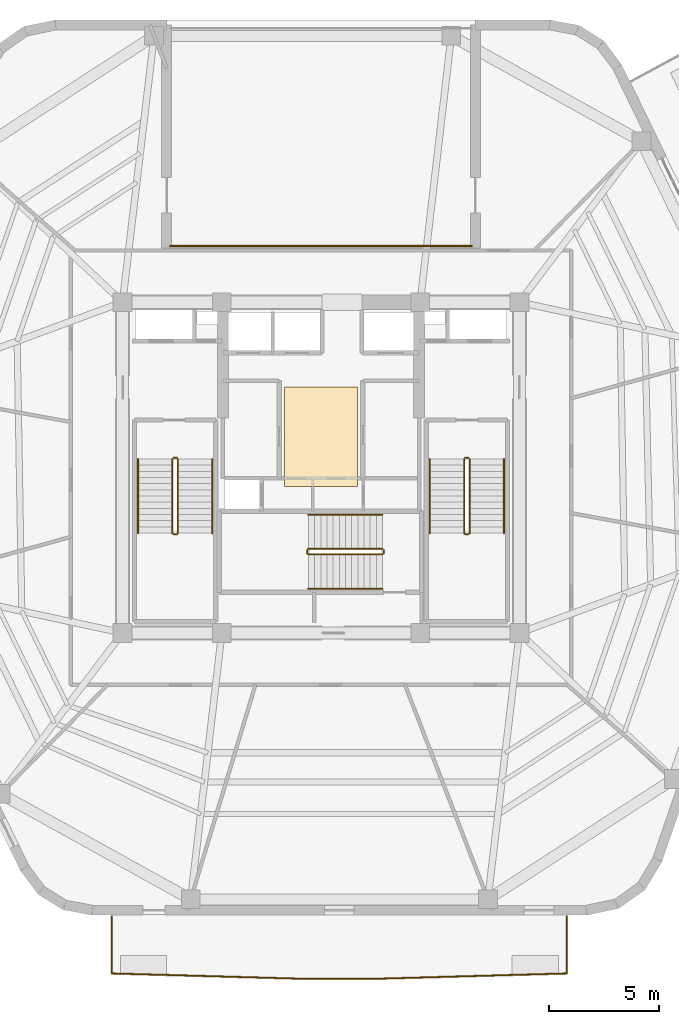
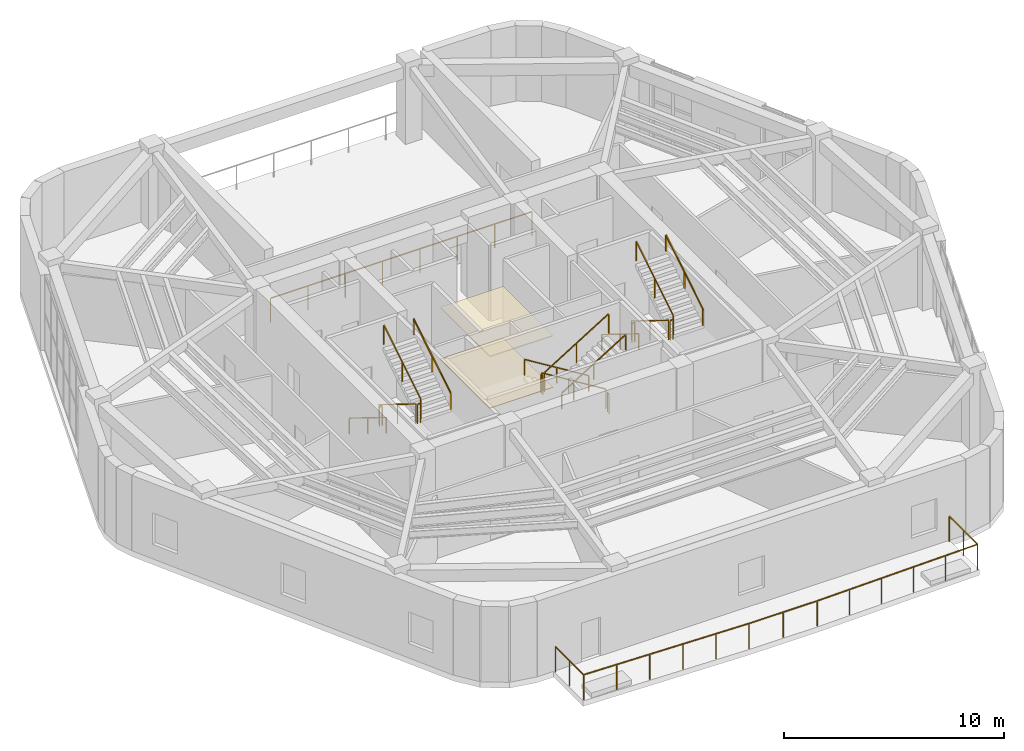
# One storey, part 14 of 15: 20 railings, 2 coverings.
"""IFC4 building model written with IfcOpenShell, lengths in metres."""

from ifc_helpers import new_model, si_unit, direction, frame, origin, origin_2d, place, context, subcontext, project, spatial, polyline, rectangle, outline, extrude, material, layer, layer_set, type_object, element, save


model = new_model("IFC4")

# Units and contexts
model_context = context("Model", 3, precision=1e-05, world=origin(), true_north=direction((0.0, 1.0)))
body_context = subcontext(model_context, "Body", "Model", "MODEL_VIEW")
ifc_project = project(units=[si_unit("LENGTHUNIT", "METRE"), si_unit("AREAUNIT", "SQUARE_METRE"), si_unit("VOLUMEUNIT", "CUBIC_METRE"), si_unit("PLANEANGLEUNIT", "RADIAN"), si_unit("MASSUNIT", "GRAM", prefix="KILO")], contexts=[model_context])

# Site, building, storey
site_placement = place(None, origin())
site = spatial("IfcSite", under=ifc_project, at=site_placement, CompositionType="ELEMENT")
building_placement = place(site_placement, origin())
building = spatial("IfcBuilding", under=site, at=building_placement, Name="Kilnhurst Terrace Hotel", CompositionType="ELEMENT")
storey_placement = place(building_placement, frame((0.0, 0.0, 288.60009765625)))
storey = spatial("IfcBuildingStorey", under=building, at=storey_placement, Name="L72", CompositionType="ELEMENT", Elevation=288.60009765625)

# Coverings
ifc_material_1 = material(Name="Perforated Micro-Acoustic Gypsum and Mineral Wool Ceiling")
ifc_layer_1 = layer(ifc_material_1, 0.050048828125, Name="Perforated Micro-Acoustic Gypsum and Mineral Wool Ceiling")
ifc_layer_set_1 = layer_set([ifc_layer_1], Name="Perforated Micro-Acoustic Gypsum and Mineral Wool Ceiling")
covering_type_1 = type_object("IfcCoveringType", Name="COV-CLG-AC60", PredefinedType="CEILING", material=ifc_layer_set_1)
covering_1_placement = place(storey_placement, frame((0.0, 0.0, 2.849853515625)))
element("IfcCovering", 1, at=covering_1_placement, inside=storey, type_object=covering_type_1, Name="L72 Lift Lobby Suspended Acoustic Ceiling", PredefinedType="CEILING", context=body_context, shape_type="SweptSolid", body=[
    extrude(outline(polyline([(-1.64990234375, -0.85009765625), (1.64990234375, -0.85009765625), (1.64990234375, 3.64990234375), (-1.64990234375, 3.64990234375), (-1.64990234375, -0.85009765625)])), origin(), (0.0, 0.0, 1.0), 0.050048828125),
])
ifc_material_2 = material(Name="Honed Texas Cream Limestone Tile Flooring", Category="masonry")
ifc_layer_2 = layer(ifc_material_2, 0.030029296875, Name="Honed Texas Cream Limestone Tile Flooring")
ifc_layer_set_2 = layer_set([ifc_layer_2], Name="Honed Texas Cream Limestone Tile Flooring")
covering_type_2 = type_object("IfcCoveringType", Name="COV-FLR-STN30", PredefinedType="FLOORING", material=ifc_layer_set_2)
covering_2_placement = place(storey_placement, origin())
element("IfcCovering", 2, at=covering_2_placement, inside=storey, type_object=covering_type_2, Name="L72 Lift Lobby Honed Limestone Flooring", PredefinedType="FLOORING", context=body_context, shape_type="SweptSolid", body=[
    extrude(outline(polyline([(-1.64990234375, -0.85009765625), (1.64990234375, -0.85009765625), (1.64990234375, 3.64990234375), (-1.64990234375, 3.64990234375), (-1.64990234375, -0.85009765625)])), origin(), (0.0, 0.0, 1.0), 0.02978515625),
])

# Railings
ifc_material_3 = material(Name="Laminated SentryGlas and Stainless Steel AISI 316L Balustrade", Category="steel")
ifc_layer_3 = layer(ifc_material_3, 0.070068359375, Name="Laminated SentryGlas and Stainless Steel AISI 316L Balustrade")
ifc_layer_set_3 = layer_set([ifc_layer_3], Name="Laminated SentryGlas and Stainless Steel AISI 316L Balustrade")
railing_type_1 = type_object("IfcRailingType", Name="RLG-BAL-1420", PredefinedType="BALUSTRADE", material=ifc_layer_set_3)
railing_1_placement = place(storey_placement, frame((11.151611328125, -20.3798828125, 0.0)))
element("IfcRailing", 3, at=railing_1_placement, inside=storey, type_object=railing_type_1, Name="L72 Exterior Terrace Guardrail BAL-L1A.1", PredefinedType="BALUSTRADE", context=body_context, shape_type="SweptSolid", body=[
    extrude(rectangle(XDim=0.048095703125, YDim=0.048095703125, at=origin_2d()), frame((0.0, 0.0, 1.39599609375), z_axis=(0.0, -1.0, 0.0), x_axis=(1.0, 0.0, 0.0)), (0.0, 0.0, 1.0), 2.561767578125),
    extrude(rectangle(XDim=0.048095703125, YDim=0.048095703125, at=origin_2d()), frame((0.0, -2.561767578125, 1.39599609375), z_axis=(-0.999610218954, -0.027917918323, 0.0), x_axis=(0.027917918323, -0.999610218954, 0.0)), (0.0, 0.0, 1.0), 8.53515625),
    extrude(rectangle(XDim=0.048095703125, YDim=0.048095703125, at=origin_2d()), frame((-8.53173828125, -2.800048828125, 1.39599609375), z_axis=(-1.0, 0.0, 0.0), x_axis=(0.0, -1.0, 0.0)), (0.0, 0.0, 1.0), 3.577880859375),
    extrude(rectangle(XDim=0.048095703125, YDim=0.048095703125, at=origin_2d()), frame((-12.109619140625, -2.800048828125, 1.39599609375), z_axis=(-0.999610218954, 0.027917918323, 0.0), x_axis=(-0.027917918323, -0.999610218954, 0.0)), (0.0, 0.0, 1.0), 8.53515625),
    extrude(rectangle(XDim=0.048095703125, YDim=0.048095703125, at=origin_2d()), frame((-20.641357421875, -2.561767578125, 1.39599609375), z_axis=(0.0, 1.0, 0.0), x_axis=(-1.0, 0.0, 0.0)), (0.0, 0.0, 1.0), 2.561767578125),
    extrude(rectangle(XDim=0.0419921875, YDim=0.0419921875, at=origin_2d()), origin(), (0.0, 0.0, 1.0), 1.371826171875),
    extrude(rectangle(XDim=0.0419921875, YDim=0.0419921875, at=origin_2d()), frame((0.0, -1.28076171875, 0.0)), (0.0, 0.0, 1.0), 1.371826171875),
    extrude(rectangle(XDim=0.0419921875, YDim=0.0419921875, at=origin_2d()), frame((0.0, -2.561767578125, 0.0)), (0.0, 0.0, 1.0), 1.371826171875),
    extrude(rectangle(XDim=0.0419921875, YDim=0.0419921875, at=origin_2d()), frame((-1.706298828125, -2.609375, 0.0)), (0.0, 0.0, 1.0), 1.371826171875),
    extrude(rectangle(XDim=0.0419921875, YDim=0.0419921875, at=origin_2d()), frame((-3.41259765625, -2.656982421875, 0.0)), (0.0, 0.0, 1.0), 1.371826171875),
    extrude(rectangle(XDim=0.0419921875, YDim=0.0419921875, at=origin_2d()), frame((-5.119140625, -2.704833984375, 0.0)), (0.0, 0.0, 1.0), 1.371826171875),
    extrude(rectangle(XDim=0.0419921875, YDim=0.0419921875, at=origin_2d()), frame((-6.825439453125, -2.75244140625, 0.0)), (0.0, 0.0, 1.0), 1.371826171875),
    extrude(rectangle(XDim=0.0419921875, YDim=0.0419921875, at=origin_2d()), frame((-8.53173828125, -2.800048828125, 0.0)), (0.0, 0.0, 1.0), 1.371826171875),
    extrude(rectangle(XDim=0.0419921875, YDim=0.0419921875, at=origin_2d()), frame((-10.32080078125, -2.800048828125, 0.0)), (0.0, 0.0, 1.0), 1.371826171875),
    extrude(rectangle(XDim=0.0419921875, YDim=0.0419921875, at=origin_2d()), frame((-12.109619140625, -2.800048828125, 0.0)), (0.0, 0.0, 1.0), 1.371826171875),
    extrude(rectangle(XDim=0.0419921875, YDim=0.0419921875, at=origin_2d()), frame((-13.81591796875, -2.75244140625, 0.0)), (0.0, 0.0, 1.0), 1.371826171875),
    extrude(rectangle(XDim=0.0419921875, YDim=0.0419921875, at=origin_2d()), frame((-15.522216796875, -2.704833984375, 0.0)), (0.0, 0.0, 1.0), 1.371826171875),
    extrude(rectangle(XDim=0.0419921875, YDim=0.0419921875, at=origin_2d()), frame((-17.228759765625, -2.656982421875, 0.0)), (0.0, 0.0, 1.0), 1.371826171875),
    extrude(rectangle(XDim=0.0419921875, YDim=0.0419921875, at=origin_2d()), frame((-18.93505859375, -2.609375, 0.0)), (0.0, 0.0, 1.0), 1.371826171875),
    extrude(rectangle(XDim=0.0419921875, YDim=0.0419921875, at=origin_2d()), frame((-20.641357421875, -2.561767578125, 0.0)), (0.0, 0.0, 1.0), 1.371826171875),
    extrude(rectangle(XDim=0.0419921875, YDim=0.0419921875, at=origin_2d()), frame((-20.641357421875, -1.28076171875, 0.0)), (0.0, 0.0, 1.0), 1.371826171875),
    extrude(rectangle(XDim=0.0419921875, YDim=0.0419921875, at=origin_2d()), frame((-20.641357421875, 0.0, 0.0)), (0.0, 0.0, 1.0), 1.371826171875),
])
ifc_layer_4 = layer(ifc_material_3, 0.080078125, Name="Laminated SentryGlas and Stainless Steel AISI 316L Balustrade")
ifc_layer_set_4 = layer_set([ifc_layer_4], Name="Laminated SentryGlas and Stainless Steel AISI 316L Balustrade")
railing_type_2 = type_object("IfcRailingType", Name="RLG-OBS-1350", PredefinedType="BALUSTRADE", material=ifc_layer_set_4)
railing_2_placement = place(storey_placement, frame((-6.85009765625, 10.050048828125, 0.0)))
element("IfcRailing", 4, at=railing_2_placement, inside=storey, type_object=railing_type_2, Name="L72 Open Wind Portal South Edge Guardrail", PredefinedType="BALUSTRADE", context=body_context, shape_type="SweptSolid", body=[
    extrude(rectangle(XDim=0.048095703125, YDim=0.048095703125, at=origin_2d()), frame((0.0, 0.0, 1.326171875), z_axis=(1.0, 0.0, 0.0), x_axis=(0.0, 1.0, 0.0)), (0.0, 0.0, 1.0), 13.7001953125),
    extrude(rectangle(XDim=0.0419921875, YDim=0.0419921875, at=origin_2d()), origin(), (0.0, 0.0, 1.0), 1.302001953125),
    extrude(rectangle(XDim=0.0419921875, YDim=0.0419921875, at=origin_2d()), frame((1.957275390625, 0.0, 0.0)), (0.0, 0.0, 1.0), 1.302001953125),
    extrude(rectangle(XDim=0.0419921875, YDim=0.0419921875, at=origin_2d()), frame((3.914306640625, 0.0, 0.0)), (0.0, 0.0, 1.0), 1.302001953125),
    extrude(rectangle(XDim=0.0419921875, YDim=0.0419921875, at=origin_2d()), frame((5.87158203125, 0.0, 0.0)), (0.0, 0.0, 1.0), 1.302001953125),
    extrude(rectangle(XDim=0.0419921875, YDim=0.0419921875, at=origin_2d()), frame((7.82861328125, 0.0, 0.0)), (0.0, 0.0, 1.0), 1.302001953125),
    extrude(rectangle(XDim=0.0419921875, YDim=0.0419921875, at=origin_2d()), frame((9.785888671875, 0.0, 0.0)), (0.0, 0.0, 1.0), 1.302001953125),
    extrude(rectangle(XDim=0.0419921875, YDim=0.0419921875, at=origin_2d()), frame((11.742919921875, 0.0, 0.0)), (0.0, 0.0, 1.0), 1.302001953125),
    extrude(rectangle(XDim=0.0419921875, YDim=0.0419921875, at=origin_2d()), frame((13.7001953125, 0.0, 0.0)), (0.0, 0.0, 1.0), 1.302001953125),
])
ifc_material_4 = material(Name="Powder-Coated Steel ASTM A500 Grade B", Category="steel")
ifc_layer_5 = layer(ifc_material_4, 0.050048828125, Name="Powder-Coated Steel ASTM A500 Grade B")
ifc_layer_set_5 = layer_set([ifc_layer_5], Name="Powder-Coated Steel ASTM A500 Grade B")
railing_type_3 = type_object("IfcRailingType", Name="RLG-ST-GRD-1100", PredefinedType="GUARDRAIL", material=ifc_layer_set_5)
railing_3_placement = place(storey_placement, frame((-6.739990234375, 0.389892578125, 0.173095703125)))
element("IfcRailing", 5, at=railing_3_placement, inside=storey, type_object=railing_type_3, Name="L72 ST-1 stair guard 1", PredefinedType="GUARDRAIL", context=body_context, shape_type="SweptSolid", body=[
    extrude(rectangle(XDim=0.048095703125, YDim=0.048095703125, at=origin_2d()), frame((0.0, 0.0, 1.076171875), z_axis=(0.0, -0.850606129759, 0.525803396734), x_axis=(1.0, 0.0, 0.0)), (0.0, 0.0, 1.0), 3.949951171875),
    extrude(rectangle(XDim=0.0419921875, YDim=0.0419921875, at=origin_2d()), origin(), (0.0, 0.0, 1.0), 1.052001953125),
    extrude(rectangle(XDim=0.0419921875, YDim=0.0419921875, at=origin_2d()), frame((0.0, -1.679931640625, 1.03857421875)), (0.0, 0.0, 1.0), 1.052001953125),
    extrude(rectangle(XDim=0.0419921875, YDim=0.0419921875, at=origin_2d()), frame((0.0, -3.35986328125, 2.076904296875)), (0.0, 0.0, 1.0), 1.052001953125),
])
railing_4_placement = place(storey_placement, frame((-6.68994140625, -3.02001953125, 2.25)))
element("IfcRailing", 6, at=railing_4_placement, inside=storey, type_object=railing_type_3, Name="L72 ST-1 stair guard 2", PredefinedType="GUARDRAIL", context=body_context, shape_type="SweptSolid", body=[
    extrude(rectangle(XDim=0.048095703125, YDim=0.048095703125, at=origin_2d()), frame((0.0, 0.0, 1.076171875), z_axis=(1.0, 0.0, 0.0), x_axis=(0.0, 1.0, 0.0)), (0.0, 0.0, 1.0), 0.14990234375),
    extrude(rectangle(XDim=0.0419921875, YDim=0.0419921875, at=origin_2d()), origin(), (0.0, 0.0, 1.0), 1.052001953125),
    extrude(rectangle(XDim=0.0419921875, YDim=0.0419921875, at=origin_2d()), frame((0.14990234375, 0.0, 0.0)), (0.0, 0.0, 1.0), 1.052001953125),
])
railing_5_placement = place(storey_placement, frame((-6.489990234375, -2.969970703125, 2.423095703125)))
element("IfcRailing", 7, at=railing_5_placement, inside=storey, type_object=railing_type_3, Name="L72 ST-1 stair guard 3", PredefinedType="GUARDRAIL", context=body_context, shape_type="SweptSolid", body=[
    extrude(rectangle(XDim=0.048095703125, YDim=0.048095703125, at=origin_2d()), frame((0.0, 0.0, 1.076171875), z_axis=(0.0, 0.850606129759, 0.525803396734), x_axis=(-1.0, 0.0, 0.0)), (0.0, 0.0, 1.0), 3.949951171875),
    extrude(rectangle(XDim=0.0419921875, YDim=0.0419921875, at=origin_2d()), origin(), (0.0, 0.0, 1.0), 1.052001953125),
    extrude(rectangle(XDim=0.0419921875, YDim=0.0419921875, at=origin_2d()), frame((0.0, 1.679931640625, 1.03857421875)), (0.0, 0.0, 1.0), 1.052001953125),
    extrude(rectangle(XDim=0.0419921875, YDim=0.0419921875, at=origin_2d()), frame((0.0, 3.35986328125, 2.076904296875)), (0.0, 0.0, 1.0), 1.052001953125),
])
railing_6_placement = place(storey_placement, frame((-6.68994140625, 0.43994140625, 0.0)))
element("IfcRailing", 8, at=railing_6_placement, inside=storey, type_object=railing_type_3, Name="L72 ST-1 stair guard 4", PredefinedType="GUARDRAIL", context=body_context, shape_type="SweptSolid", body=[
    extrude(rectangle(XDim=0.048095703125, YDim=0.048095703125, at=origin_2d()), frame((0.0, 0.0, 1.076171875), z_axis=(1.0, 0.0, 0.0), x_axis=(0.0, 1.0, 0.0)), (0.0, 0.0, 1.0), 0.14990234375),
    extrude(rectangle(XDim=0.0419921875, YDim=0.0419921875, at=origin_2d()), origin(), (0.0, 0.0, 1.0), 1.052001953125),
    extrude(rectangle(XDim=0.0419921875, YDim=0.0419921875, at=origin_2d()), frame((0.14990234375, 0.0, 0.0)), (0.0, 0.0, 1.0), 1.052001953125),
])
railing_7_placement = place(storey_placement, frame((6.489990234375, 0.389892578125, 0.173095703125)))
element("IfcRailing", 9, at=railing_7_placement, inside=storey, type_object=railing_type_3, Name="L72 ST-2 stair guard 1", PredefinedType="GUARDRAIL", context=body_context, shape_type="SweptSolid", body=[
    extrude(rectangle(XDim=0.048095703125, YDim=0.048095703125, at=origin_2d()), frame((0.0, 0.0, 1.076171875), z_axis=(0.0, -0.850606129759, 0.525803396734), x_axis=(1.0, 0.0, 0.0)), (0.0, 0.0, 1.0), 3.949951171875),
    extrude(rectangle(XDim=0.0419921875, YDim=0.0419921875, at=origin_2d()), origin(), (0.0, 0.0, 1.0), 1.052001953125),
    extrude(rectangle(XDim=0.0419921875, YDim=0.0419921875, at=origin_2d()), frame((0.0, -1.679931640625, 1.03857421875)), (0.0, 0.0, 1.0), 1.052001953125),
    extrude(rectangle(XDim=0.0419921875, YDim=0.0419921875, at=origin_2d()), frame((0.0, -3.35986328125, 2.076904296875)), (0.0, 0.0, 1.0), 1.052001953125),
])
railing_8_placement = place(storey_placement, frame((6.5400390625, -3.02001953125, 2.25)))
element("IfcRailing", 10, at=railing_8_placement, inside=storey, type_object=railing_type_3, Name="L72 ST-2 stair guard 2", PredefinedType="GUARDRAIL", context=body_context, shape_type="SweptSolid", body=[
    extrude(rectangle(XDim=0.048095703125, YDim=0.048095703125, at=origin_2d()), frame((0.0, 0.0, 1.076171875), z_axis=(1.0, 0.0, 0.0), x_axis=(0.0, 1.0, 0.0)), (0.0, 0.0, 1.0), 0.14990234375),
    extrude(rectangle(XDim=0.0419921875, YDim=0.0419921875, at=origin_2d()), origin(), (0.0, 0.0, 1.0), 1.052001953125),
    extrude(rectangle(XDim=0.0419921875, YDim=0.0419921875, at=origin_2d()), frame((0.14990234375, 0.0, 0.0)), (0.0, 0.0, 1.0), 1.052001953125),
])
railing_9_placement = place(storey_placement, frame((6.739990234375, -2.969970703125, 2.423095703125)))
element("IfcRailing", 11, at=railing_9_placement, inside=storey, type_object=railing_type_3, Name="L72 ST-2 stair guard 3", PredefinedType="GUARDRAIL", context=body_context, shape_type="SweptSolid", body=[
    extrude(rectangle(XDim=0.048095703125, YDim=0.048095703125, at=origin_2d()), frame((0.0, 0.0, 1.076171875), z_axis=(0.0, 0.850606129759, 0.525803396734), x_axis=(-1.0, 0.0, 0.0)), (0.0, 0.0, 1.0), 3.949951171875),
    extrude(rectangle(XDim=0.0419921875, YDim=0.0419921875, at=origin_2d()), origin(), (0.0, 0.0, 1.0), 1.052001953125),
    extrude(rectangle(XDim=0.0419921875, YDim=0.0419921875, at=origin_2d()), frame((0.0, 1.679931640625, 1.03857421875)), (0.0, 0.0, 1.0), 1.052001953125),
    extrude(rectangle(XDim=0.0419921875, YDim=0.0419921875, at=origin_2d()), frame((0.0, 3.35986328125, 2.076904296875)), (0.0, 0.0, 1.0), 1.052001953125),
])
railing_10_placement = place(storey_placement, frame((6.5400390625, 0.43994140625, 0.0)))
element("IfcRailing", 12, at=railing_10_placement, inside=storey, type_object=railing_type_3, Name="L72 ST-2 stair guard 4", PredefinedType="GUARDRAIL", context=body_context, shape_type="SweptSolid", body=[
    extrude(rectangle(XDim=0.048095703125, YDim=0.048095703125, at=origin_2d()), frame((0.0, 0.0, 1.076171875), z_axis=(1.0, 0.0, 0.0), x_axis=(0.0, 1.0, 0.0)), (0.0, 0.0, 1.0), 0.14990234375),
    extrude(rectangle(XDim=0.0419921875, YDim=0.0419921875, at=origin_2d()), origin(), (0.0, 0.0, 1.0), 1.052001953125),
    extrude(rectangle(XDim=0.0419921875, YDim=0.0419921875, at=origin_2d()), frame((0.14990234375, 0.0, 0.0)), (0.0, 0.0, 1.0), 1.052001953125),
])
railing_11_placement = place(storey_placement, frame((2.7900390625, -3.68994140625, 0.173095703125)))
element("IfcRailing", 13, at=railing_11_placement, inside=storey, type_object=railing_type_3, Name="L72 ST-3 stair guard 1", PredefinedType="GUARDRAIL", context=body_context, shape_type="SweptSolid", body=[
    extrude(rectangle(XDim=0.048095703125, YDim=0.048095703125, at=origin_2d()), frame((0.0, 0.0, 1.076171875), z_axis=(-0.850623216509, 0.0, 0.525775754039), x_axis=(0.0, -1.0, 0.0)), (0.0, 0.0, 1.0), 3.9501953125),
    extrude(rectangle(XDim=0.0419921875, YDim=0.0419921875, at=origin_2d()), origin(), (0.0, 0.0, 1.0), 1.052001953125),
    extrude(rectangle(XDim=0.0419921875, YDim=0.0419921875, at=origin_2d()), frame((-1.68017578125, 0.0, 1.03857421875)), (0.0, 0.0, 1.0), 1.052001953125),
    extrude(rectangle(XDim=0.0419921875, YDim=0.0419921875, at=origin_2d()), frame((-3.360107421875, 0.0, 2.076904296875)), (0.0, 0.0, 1.0), 1.052001953125),
])
railing_12_placement = place(storey_placement, frame((-0.6201171875, -3.739990234375, 2.25)))
element("IfcRailing", 14, at=railing_12_placement, inside=storey, type_object=railing_type_3, Name="L72 ST-3 stair guard 2", PredefinedType="GUARDRAIL", context=body_context, shape_type="SweptSolid", body=[
    extrude(rectangle(XDim=0.048095703125, YDim=0.048095703125, at=origin_2d()), frame((0.0, 0.0, 1.076171875), z_axis=(0.0, -1.0, 0.0), x_axis=(1.0, 0.0, 0.0)), (0.0, 0.0, 1.0), 0.14990234375),
    extrude(rectangle(XDim=0.0419921875, YDim=0.0419921875, at=origin_2d()), origin(), (0.0, 0.0, 1.0), 1.052001953125),
    extrude(rectangle(XDim=0.0419921875, YDim=0.0419921875, at=origin_2d()), frame((0.0, -0.14990234375, 0.0)), (0.0, 0.0, 1.0), 1.052001953125),
])
railing_13_placement = place(storey_placement, frame((-0.570068359375, -3.93994140625, 2.423095703125)))
element("IfcRailing", 15, at=railing_13_placement, inside=storey, type_object=railing_type_3, Name="L72 ST-3 stair guard 3", PredefinedType="GUARDRAIL", context=body_context, shape_type="SweptSolid", body=[
    extrude(rectangle(XDim=0.048095703125, YDim=0.048095703125, at=origin_2d()), frame((0.0, 0.0, 1.076171875), z_axis=(0.850623216509, 0.0, 0.525775754039), x_axis=(0.0, 1.0, 0.0)), (0.0, 0.0, 1.0), 3.9501953125),
    extrude(rectangle(XDim=0.0419921875, YDim=0.0419921875, at=origin_2d()), origin(), (0.0, 0.0, 1.0), 1.052001953125),
    extrude(rectangle(XDim=0.0419921875, YDim=0.0419921875, at=origin_2d()), frame((1.68017578125, 0.0, 1.03857421875)), (0.0, 0.0, 1.0), 1.052001953125),
    extrude(rectangle(XDim=0.0419921875, YDim=0.0419921875, at=origin_2d()), frame((3.360107421875, 0.0, 2.076904296875)), (0.0, 0.0, 1.0), 1.052001953125),
])
railing_14_placement = place(storey_placement, frame((2.840087890625, -3.739990234375, 0.0)))
element("IfcRailing", 16, at=railing_14_placement, inside=storey, type_object=railing_type_3, Name="L72 ST-3 stair guard 4", PredefinedType="GUARDRAIL", context=body_context, shape_type="SweptSolid", body=[
    extrude(rectangle(XDim=0.048095703125, YDim=0.048095703125, at=origin_2d()), frame((0.0, 0.0, 1.076171875), z_axis=(0.0, -1.0, 0.0), x_axis=(1.0, 0.0, 0.0)), (0.0, 0.0, 1.0), 0.14990234375),
    extrude(rectangle(XDim=0.0419921875, YDim=0.0419921875, at=origin_2d()), origin(), (0.0, 0.0, 1.0), 1.052001953125),
    extrude(rectangle(XDim=0.0419921875, YDim=0.0419921875, at=origin_2d()), frame((0.0, -0.14990234375, 0.0)), (0.0, 0.0, 1.0), 1.052001953125),
])
ifc_material_5 = material(Name="Brushed Stainless Steel AISI 304", Category="steel")
ifc_layer_6 = layer(ifc_material_5, 0.048095703125, Name="Brushed Stainless Steel AISI 304")
ifc_layer_set_6 = layer_set([ifc_layer_6], Name="Brushed Stainless Steel AISI 304")
railing_type_4 = type_object("IfcRailingType", Name="RLG-ST-HRL-900", PredefinedType="HANDRAIL", material=ifc_layer_set_6)
railing_15_placement = place(storey_placement, frame((-8.300048828125, 0.389892578125, 0.173095703125)))
element("IfcRailing", 17, at=railing_15_placement, inside=storey, type_object=railing_type_4, Name="L72 ST-1 stair handrail 1", PredefinedType="HANDRAIL", context=body_context, shape_type="SweptSolid", body=[
    extrude(rectangle(XDim=0.048095703125, YDim=0.048095703125, at=origin_2d()), frame((0.0, 0.0, 0.8759765625), z_axis=(0.0, -0.850606129759, 0.525803396734), x_axis=(1.0, 0.0, 0.0)), (0.0, 0.0, 1.0), 3.949951171875),
    extrude(rectangle(XDim=0.0419921875, YDim=0.0419921875, at=origin_2d()), origin(), (0.0, 0.0, 1.0), 0.851806640625),
    extrude(rectangle(XDim=0.0419921875, YDim=0.0419921875, at=origin_2d()), frame((0.0, -1.679931640625, 1.03857421875)), (0.0, 0.0, 1.0), 0.851806640625),
    extrude(rectangle(XDim=0.0419921875, YDim=0.0419921875, at=origin_2d()), frame((0.0, -3.35986328125, 2.076904296875)), (0.0, 0.0, 1.0), 0.851806640625),
])
railing_16_placement = place(storey_placement, frame((-4.929931640625, -2.969970703125, 2.423095703125)))
element("IfcRailing", 18, at=railing_16_placement, inside=storey, type_object=railing_type_4, Name="L72 ST-1 stair handrail 2", PredefinedType="HANDRAIL", context=body_context, shape_type="SweptSolid", body=[
    extrude(rectangle(XDim=0.048095703125, YDim=0.048095703125, at=origin_2d()), frame((0.0, 0.0, 0.8759765625), z_axis=(0.0, 0.850606129759, 0.525803396734), x_axis=(-1.0, 0.0, 0.0)), (0.0, 0.0, 1.0), 3.949951171875),
    extrude(rectangle(XDim=0.0419921875, YDim=0.0419921875, at=origin_2d()), origin(), (0.0, 0.0, 1.0), 0.851806640625),
    extrude(rectangle(XDim=0.0419921875, YDim=0.0419921875, at=origin_2d()), frame((0.0, 1.679931640625, 1.03857421875)), (0.0, 0.0, 1.0), 0.851806640625),
    extrude(rectangle(XDim=0.0419921875, YDim=0.0419921875, at=origin_2d()), frame((0.0, 3.35986328125, 2.076904296875)), (0.0, 0.0, 1.0), 0.851806640625),
])
railing_17_placement = place(storey_placement, frame((4.929931640625, 0.389892578125, 0.173095703125)))
element("IfcRailing", 19, at=railing_17_placement, inside=storey, type_object=railing_type_4, Name="L72 ST-2 stair handrail 1", PredefinedType="HANDRAIL", context=body_context, shape_type="SweptSolid", body=[
    extrude(rectangle(XDim=0.048095703125, YDim=0.048095703125, at=origin_2d()), frame((0.0, 0.0, 0.8759765625), z_axis=(0.0, -0.850606129759, 0.525803396734), x_axis=(1.0, 0.0, 0.0)), (0.0, 0.0, 1.0), 3.949951171875),
    extrude(rectangle(XDim=0.0419921875, YDim=0.0419921875, at=origin_2d()), origin(), (0.0, 0.0, 1.0), 0.851806640625),
    extrude(rectangle(XDim=0.0419921875, YDim=0.0419921875, at=origin_2d()), frame((0.0, -1.679931640625, 1.03857421875)), (0.0, 0.0, 1.0), 0.851806640625),
    extrude(rectangle(XDim=0.0419921875, YDim=0.0419921875, at=origin_2d()), frame((0.0, -3.35986328125, 2.076904296875)), (0.0, 0.0, 1.0), 0.851806640625),
])
railing_18_placement = place(storey_placement, frame((8.300048828125, -2.969970703125, 2.423095703125)))
element("IfcRailing", 20, at=railing_18_placement, inside=storey, type_object=railing_type_4, Name="L72 ST-2 stair handrail 2", PredefinedType="HANDRAIL", context=body_context, shape_type="SweptSolid", body=[
    extrude(rectangle(XDim=0.048095703125, YDim=0.048095703125, at=origin_2d()), frame((0.0, 0.0, 0.8759765625), z_axis=(0.0, 0.850606129759, 0.525803396734), x_axis=(-1.0, 0.0, 0.0)), (0.0, 0.0, 1.0), 3.949951171875),
    extrude(rectangle(XDim=0.0419921875, YDim=0.0419921875, at=origin_2d()), origin(), (0.0, 0.0, 1.0), 0.851806640625),
    extrude(rectangle(XDim=0.0419921875, YDim=0.0419921875, at=origin_2d()), frame((0.0, 1.679931640625, 1.03857421875)), (0.0, 0.0, 1.0), 0.851806640625),
    extrude(rectangle(XDim=0.0419921875, YDim=0.0419921875, at=origin_2d()), frame((0.0, 3.35986328125, 2.076904296875)), (0.0, 0.0, 1.0), 0.851806640625),
])
railing_19_placement = place(storey_placement, frame((2.7900390625, -2.1298828125, 0.173095703125)))
element("IfcRailing", 21, at=railing_19_placement, inside=storey, type_object=railing_type_4, Name="L72 ST-3 stair handrail 1", PredefinedType="HANDRAIL", context=body_context, shape_type="SweptSolid", body=[
    extrude(rectangle(XDim=0.048095703125, YDim=0.048095703125, at=origin_2d()), frame((0.0, 0.0, 0.8759765625), z_axis=(-0.850623216509, 0.0, 0.525775754039), x_axis=(0.0, -1.0, 0.0)), (0.0, 0.0, 1.0), 3.9501953125),
    extrude(rectangle(XDim=0.0419921875, YDim=0.0419921875, at=origin_2d()), origin(), (0.0, 0.0, 1.0), 0.851806640625),
    extrude(rectangle(XDim=0.0419921875, YDim=0.0419921875, at=origin_2d()), frame((-1.68017578125, 0.0, 1.03857421875)), (0.0, 0.0, 1.0), 0.851806640625),
    extrude(rectangle(XDim=0.0419921875, YDim=0.0419921875, at=origin_2d()), frame((-3.360107421875, 0.0, 2.076904296875)), (0.0, 0.0, 1.0), 0.851806640625),
])
railing_20_placement = place(storey_placement, frame((-0.570068359375, -5.5, 2.423095703125)))
element("IfcRailing", 22, at=railing_20_placement, inside=storey, type_object=railing_type_4, Name="L72 ST-3 stair handrail 2", PredefinedType="HANDRAIL", context=body_context, shape_type="SweptSolid", body=[
    extrude(rectangle(XDim=0.048095703125, YDim=0.048095703125, at=origin_2d()), frame((0.0, 0.0, 0.8759765625), z_axis=(0.850623216509, 0.0, 0.525775754039), x_axis=(0.0, 1.0, 0.0)), (0.0, 0.0, 1.0), 3.9501953125),
    extrude(rectangle(XDim=0.0419921875, YDim=0.0419921875, at=origin_2d()), origin(), (0.0, 0.0, 1.0), 0.851806640625),
    extrude(rectangle(XDim=0.0419921875, YDim=0.0419921875, at=origin_2d()), frame((1.68017578125, 0.0, 1.03857421875)), (0.0, 0.0, 1.0), 0.851806640625),
    extrude(rectangle(XDim=0.0419921875, YDim=0.0419921875, at=origin_2d()), frame((3.360107421875, 0.0, 2.076904296875)), (0.0, 0.0, 1.0), 0.851806640625),
])

save(model, "model.ifc")
